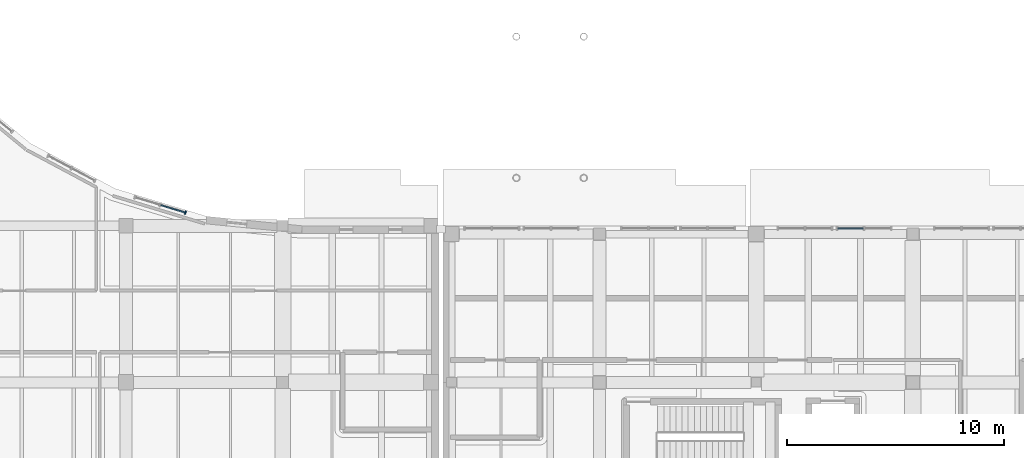
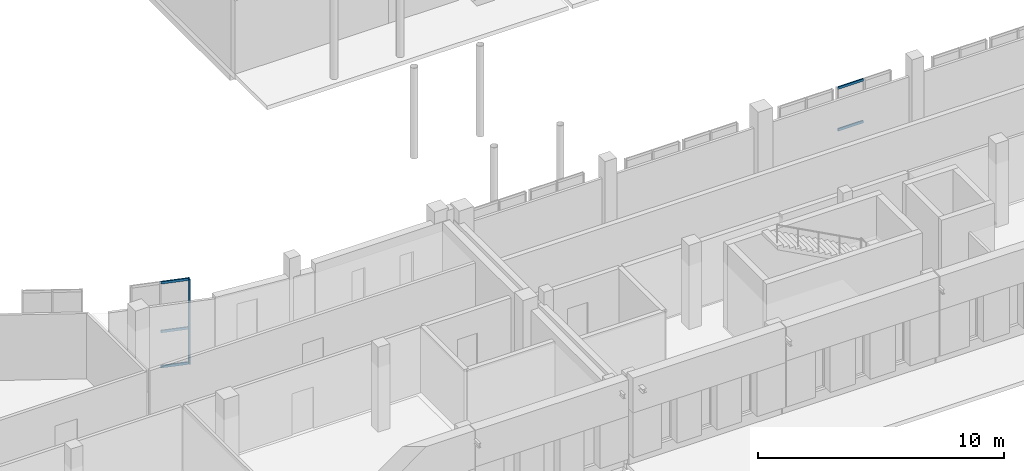
# One storey, part 11 of 77: 6 members, 2 elements without a shape of their own.
"""IFC4 building model written with IfcOpenShell, lengths in metres."""

from ifc_helpers import new_model, si_unit, direction, frame, origin, origin_2d, place, context, subcontext, project, spatial, rectangle, extrude, material, layer, layer_set, material_profile, profile_set, type_object, element, aggregate, save


model = new_model("IFC4")

# Units and contexts
model_context = context("Model", 3, precision=1e-05, world=origin(), true_north=direction((0.0, 1.0)))
body_context = subcontext(model_context, "Body", "Model", "MODEL_VIEW")
ifc_project = project(units=[si_unit("LENGTHUNIT", "METRE"), si_unit("AREAUNIT", "SQUARE_METRE"), si_unit("VOLUMEUNIT", "CUBIC_METRE"), si_unit("PLANEANGLEUNIT", "RADIAN"), si_unit("MASSUNIT", "GRAM", prefix="KILO")], contexts=[model_context])

# Site, building, storey
site_placement = place(None, origin())
site = spatial("IfcSite", under=ifc_project, at=site_placement, CompositionType="ELEMENT")
building_placement = place(site_placement, origin())
building = spatial("IfcBuilding", under=site, at=building_placement, Name="Vardoun Plaza Health Centre", CompositionType="ELEMENT")
storey_placement = place(building_placement, origin())
storey = spatial("IfcBuildingStorey", under=building, at=storey_placement, Name="L00", CompositionType="ELEMENT", Elevation=0.0)

# Curtain wall, members
ifc_material_1 = material(Name="Aluminium Alloy EN AW-6063-T6 and Low-E Glass", Category="aluminium")
ifc_layer_1 = layer(ifc_material_1, 0.159912109375)
ifc_layer_set_1 = layer_set([ifc_layer_1], Name="Aluminium Alloy EN AW-6063-T6 and Low-E Glass")
curtain_wall_type_1 = type_object("IfcCurtainWallType", Name="CW-02", PredefinedType="USERDEFINED", material=ifc_layer_set_1)
curtain_wall_1_placement = place(storey_placement, origin())
curtain_wall_1 = element("IfcCurtainWall", 1, at=curtain_wall_1_placement, inside=storey, type_object=curtain_wall_type_1, Name="Curtain Wall CW-V2-038", ObjectType="COURTYARD_CURTAIN_WALL", PredefinedType="USERDEFINED")
ifc_material_2 = material(Name="Aluminium Alloy EN AW-6063-T6", Category="aluminium")
ifc_material_profile_1 = material_profile(ifc_material_2, rectangle(XDim=0.159912109375, YDim=0.06005859375, at=origin_2d()), Name="CWM 60x160")
ifc_profile_set_1 = profile_set([ifc_material_profile_1], Name="Aluminium Alloy EN AW-6063-T6")
member_type_1 = type_object("IfcMemberType", Name="CW-M1", PredefinedType="MULLION", material=ifc_profile_set_1)
member_1_placement = place(storey_placement, frame((36.0283203125, 19.5048828125, 0.0), z_axis=(0.0, 0.0, 1.0), x_axis=(0.290300428595, 0.956935557474, 0.0)))
member_1 = element("IfcMember", 2, at=member_1_placement, type_object=member_type_1, Name="CW-V2-038 mullion 3", PredefinedType="MULLION", context=body_context, shape_type="SweptSolid", body=[
    extrude(rectangle(XDim=0.159912109375, YDim=0.06005859375, at=origin_2d()), origin(), (0.0, 0.0, 1.0), 4.219970703125),
])
ifc_material_3 = material(Name="Aluminium Alloy EN AW-6063-T6", Category="aluminium")
ifc_material_profile_2 = material_profile(ifc_material_3, rectangle(XDim=0.06005859375, YDim=0.1201171875, at=origin_2d()), Name="CWT 60x120")
ifc_profile_set_2 = profile_set([ifc_material_profile_2], Name="Aluminium Alloy EN AW-6063-T6")
member_type_2 = type_object("IfcMemberType", Name="CW-T1", PredefinedType="USERDEFINED", material=ifc_profile_set_2)
member_2_placement = place(storey_placement, frame((34.89404296875, 19.848876953125, 0.030029296875), z_axis=(0.956914136663, -0.290371029986, 0.0), x_axis=(0.290371029986, 0.956914136663, 0.0)))
member_2 = element("IfcMember", 3, at=member_2_placement, type_object=member_type_2, Name="CW-V2-038 transom 2.1", ObjectType="TRANSOM", PredefinedType="USERDEFINED", context=body_context, shape_type="SweptSolid", body=[
    extrude(rectangle(XDim=0.06005859375, YDim=0.1201171875, at=origin_2d()), origin(), (0.0, 0.0, 1.0), 1.1552734375),
])
member_3_placement = place(storey_placement, frame((34.89404296875, 19.848876953125, 1.7724609375), z_axis=(0.956914136663, -0.290371029986, 0.0), x_axis=(0.290371029986, 0.956914136663, 0.0)))
member_3 = element("IfcMember", 4, at=member_3_placement, type_object=member_type_2, Name="CW-V2-038 transom 2.2", ObjectType="TRANSOM", PredefinedType="USERDEFINED", context=body_context, shape_type="SweptSolid", body=[
    extrude(rectangle(XDim=0.06005859375, YDim=0.1201171875, at=origin_2d()), origin(), (0.0, 0.0, 1.0), 1.1552734375),
])
member_4_placement = place(storey_placement, frame((34.89404296875, 19.848876953125, 4.18994140625), z_axis=(0.956914136663, -0.290371029986, 0.0), x_axis=(0.290371029986, 0.956914136663, 0.0)))
member_4 = element("IfcMember", 5, at=member_4_placement, type_object=member_type_2, Name="CW-V2-038 transom 2.3", ObjectType="TRANSOM", PredefinedType="USERDEFINED", context=body_context, shape_type="SweptSolid", body=[
    extrude(rectangle(XDim=0.06005859375, YDim=0.1201171875, at=origin_2d()), origin(), (0.0, 0.0, 1.0), 1.1552734375),
])
aggregate(curtain_wall_1, [member_1, member_2, member_3, member_4])

ifc_material_4 = material(Name="Aluminium Alloy EN AW-6063-T6 and Low-E Glass", Category="aluminium")
ifc_layer_2 = layer(ifc_material_4, 0.14990234375)
ifc_layer_set_2 = layer_set([ifc_layer_2], Name="Aluminium Alloy EN AW-6063-T6 and Low-E Glass")
curtain_wall_type_2 = type_object("IfcCurtainWallType", Name="CW-03", PredefinedType="NOTDEFINED", material=ifc_layer_set_2)
curtain_wall_2_placement = place(storey_placement, origin())
curtain_wall_2 = element("IfcCurtainWall", 6, at=curtain_wall_2_placement, inside=storey, type_object=curtain_wall_type_2, Name="Curtain Wall CW-V4-106", PredefinedType="NOTDEFINED")
member_5_placement = place(storey_placement, frame((66.02001953125, 18.780029296875, 1.5205078125), z_axis=(1.0, 0.0, 0.0), x_axis=(0.0, 1.0, 0.0)))
member_5 = element("IfcMember", 7, at=member_5_placement, type_object=member_type_2, Name="CW-V4-106 transom 1.2", ObjectType="TRANSOM", PredefinedType="USERDEFINED", context=body_context, shape_type="SweptSolid", body=[
    extrude(rectangle(XDim=0.06005859375, YDim=0.1201171875, at=origin_2d()), origin(), (0.0, 0.0, 1.0), 1.18994140625),
])
member_6_placement = place(storey_placement, frame((66.02001953125, 18.780029296875, 3.590087890625), z_axis=(1.0, 0.0, 0.0), x_axis=(0.0, 1.0, 0.0)))
member_6 = element("IfcMember", 8, at=member_6_placement, type_object=member_type_2, Name="CW-V4-106 transom 1.3", ObjectType="TRANSOM", PredefinedType="USERDEFINED", context=body_context, shape_type="SweptSolid", body=[
    extrude(rectangle(XDim=0.06005859375, YDim=0.1201171875, at=origin_2d()), origin(), (0.0, 0.0, 1.0), 1.18994140625),
])
aggregate(curtain_wall_2, [member_5, member_6])

save(model, "model.ifc")
